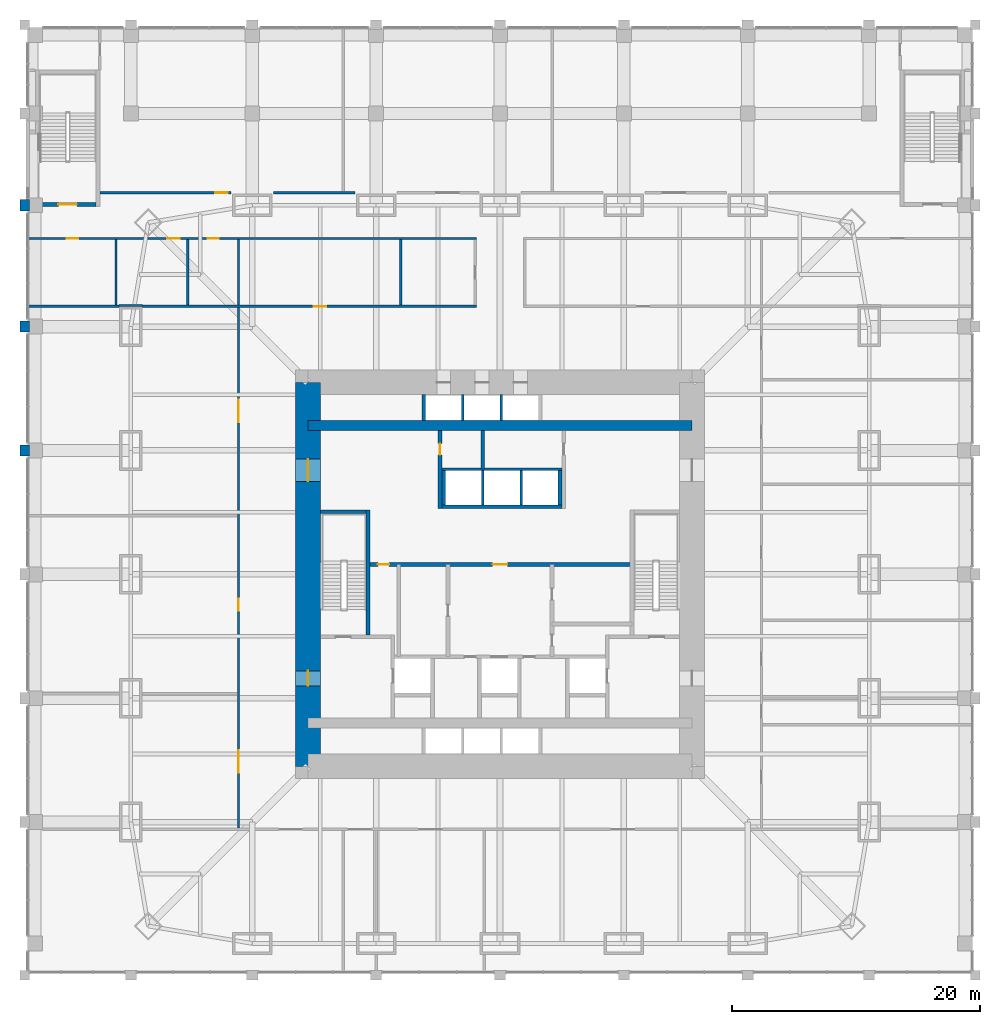
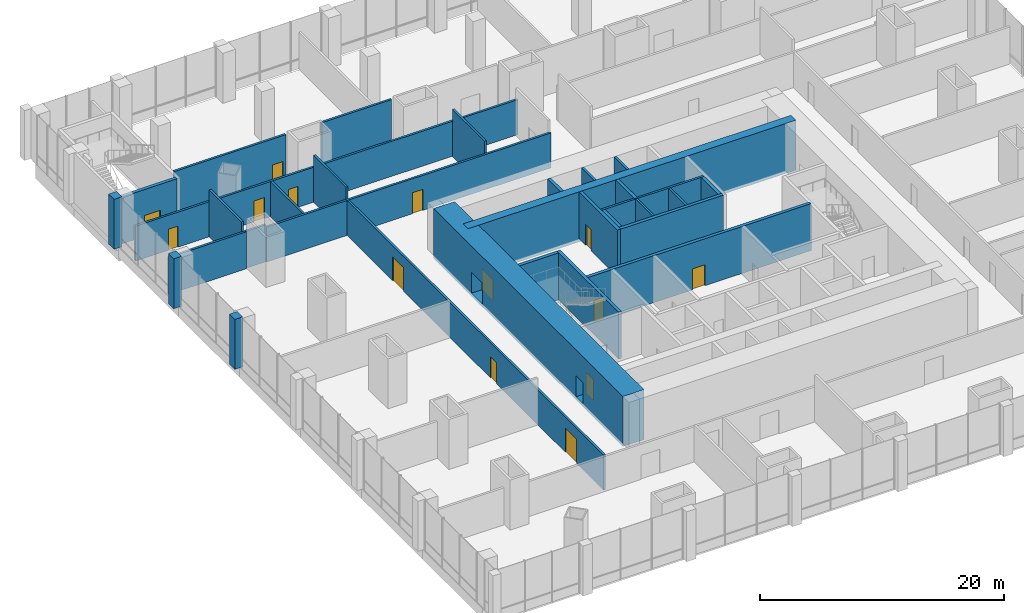
# One storey, part 18 of 24: 31 walls, 14 doors, 14 openings.
"""IFC4 building model written with IfcOpenShell, lengths in metres."""

import ifcopenshell
import ifcopenshell.guid

model = None  # the IFC model being written
_history = None  # IfcOwnerHistory: only IFC2X3 demands one
_inside = {}  # id of a spatial element -> (the spatial element, [elements in it])
_under = {}  # id of a project, library or spatial element -> (it, [spatial elements below it])
_declared = {}  # id of a project -> (the project, [libraries it declares])
_typed = {}  # id of a type object -> (the type object, [elements of that type])
_made_of = {}  # id of a material, layer set ... -> (it, [elements and type objects made of it])


def new_model(schema):
    """Start an empty IFC model of exactly this schema.

    Asked for "IFC4X3", IfcOpenShell would pick the latest addendum, in which some entities
    have other attributes; the version numbers below select the first issue.
    IFC2X3 requires an IfcOwnerHistory on every rooted entity: one is made here for all.
    """
    global model, _history
    if schema == "IFC4X3":
        model = ifcopenshell.file(schema_version=(4, 3, 0, 0))
    else:
        model = ifcopenshell.file(schema=schema)
    _inside.clear()
    _under.clear()
    _declared.clear()
    _typed.clear()
    _made_of.clear()
    _history = None
    if model.schema == "IFC2X3":
        org = make("IfcOrganization", Name="unknown")
        user = make(
            "IfcPersonAndOrganization",
            ThePerson=make("IfcPerson", FamilyName="unknown"),
            TheOrganization=org,
        )
        app = make(
            "IfcApplication",
            ApplicationDeveloper=org,
            Version="unknown",
            ApplicationFullName="unknown",
            ApplicationIdentifier="unknown",
        )
        _history = make(
            "IfcOwnerHistory",
            OwningUser=user,
            OwningApplication=app,
            ChangeAction="ADDED",
            CreationDate=0,
        )
    return model


def make(cls, **values):
    """One entity of the class cls with the attributes given. An attribute that is None is left unset."""
    return model.create_entity(
        cls, **{name: value for name, value in values.items() if value is not None}
    )


def rooted(cls, **values):
    """An entity with a GlobalId (a new one), such as an element, a storey or a relation."""
    return make(cls, GlobalId=ifcopenshell.guid.new(), OwnerHistory=_history, **values)


def si_unit(unit_type, name, prefix=None):
    """IfcSIUnit, for example si_unit("LENGTHUNIT", "METRE", prefix="MILLI")."""
    return make("IfcSIUnit", UnitType=unit_type, Prefix=prefix, Name=name)


def assignment(units):
    """IfcUnitAssignment: the units of a project."""
    return None if units is None else make("IfcUnitAssignment", Units=units)


def point(xyz):
    """IfcCartesianPoint."""
    return None if xyz is None else make("IfcCartesianPoint", Coordinates=xyz)


def direction(xyz):
    """IfcDirection."""
    return None if xyz is None else make("IfcDirection", DirectionRatios=xyz)


def frame(location, z_axis=None, x_axis=None):
    """IfcAxis2Placement3D, a coordinate frame: its origin and axes. An axis left out is left unset."""
    return make(
        "IfcAxis2Placement3D",
        Location=point(location),
        Axis=direction(z_axis),
        RefDirection=direction(x_axis),
    )


def frame_2d(location, x_axis=None):
    """IfcAxis2Placement2D, a coordinate frame in the plane: its origin and x axis."""
    return make(
        "IfcAxis2Placement2D", Location=point(location), RefDirection=direction(x_axis)
    )


def origin():
    """The frame at (0, 0, 0) with its axes left unset."""
    return frame((0.0, 0.0, 0.0))


def place(relative_to, where):
    """IfcLocalPlacement: puts the frame where relative to a parent placement (None: the world)."""
    return make(
        "IfcLocalPlacement", PlacementRelTo=relative_to, RelativePlacement=where
    )


def context(
    kind, dimensions, precision=None, world=None, true_north=None, identifier=None
):
    """IfcGeometricRepresentationContext, for example the 3D "Model" context."""
    return make(
        "IfcGeometricRepresentationContext",
        ContextIdentifier=identifier,
        ContextType=kind,
        CoordinateSpaceDimension=dimensions,
        Precision=precision,
        WorldCoordinateSystem=world,
        TrueNorth=true_north,
    )


def subcontext(parent, identifier, kind, view, scale=None):
    """IfcGeometricRepresentationSubContext, for example "Body" below "Model"."""
    return make(
        "IfcGeometricRepresentationSubContext",
        ContextIdentifier=identifier,
        ContextType=kind,
        ParentContext=parent,
        TargetScale=scale,
        TargetView=view,
    )


def project(units=None, contexts=None):
    """IfcProject with its units and contexts."""
    return rooted(
        "IfcProject",
        Name="project",
        RepresentationContexts=contexts,
        UnitsInContext=assignment(units),
    )


def spatial(cls, under=None, at=None, **own):
    """A site, building, storey or space (cls), placed at a placement, below another one or the project."""
    s = rooted(cls, ObjectPlacement=at, **own)
    if under is not None:
        _under.setdefault(under.id(), (under, []))[1].append(s)
    return s


def profile(cls, at=None, kind="AREA", **sizes):
    """A parametric profile (cls). Its sizes go by their IFC names, for example OverallWidth=200.0."""
    return make(cls, ProfileType=kind, Position=at, **sizes)


def rectangle(**sizes):
    """IfcRectangleProfileDef."""
    return profile("IfcRectangleProfileDef", **sizes)


def extrude(swept, where, along, depth):
    """IfcExtrudedAreaSolid: the profile swept, set in the frame where, extruded along a direction by depth."""
    return make(
        "IfcExtrudedAreaSolid",
        SweptArea=swept,
        Position=where,
        ExtrudedDirection=direction(along),
        Depth=depth,
    )


def shape(context_of_items, identifier, shape_type, items):
    """IfcShapeRepresentation: the items that make up one representation, for example the "Body"."""
    return make(
        "IfcShapeRepresentation",
        ContextOfItems=context_of_items,
        RepresentationIdentifier=identifier,
        RepresentationType=shape_type,
        Items=items,
    )


def material(Name=None, Category=None):
    """IfcMaterial."""
    return make("IfcMaterial", Name=Name, Category=Category)


def layer(
    of_material, thickness, ventilated=None, Name=None, Category=None, Priority=None
):
    """IfcMaterialLayer: one layer of a wall or slab, of a material (None: an air gap)."""
    return make(
        "IfcMaterialLayer",
        Material=of_material,
        LayerThickness=thickness,
        IsVentilated=ventilated,
        Name=Name,
        Category=Category,
        Priority=Priority,
    )


def layer_set(layers, Name=None):
    """IfcMaterialLayerSet."""
    return make("IfcMaterialLayerSet", MaterialLayers=layers, LayerSetName=Name)


def made_of(thing, what):
    """Note that an element or type object is made of a material, layer set ...; save() writes the relation."""
    if what is not None:
        _made_of.setdefault(what.id(), (what, []))[1].append(thing)
    return thing


def type_object(cls, material=None, **own):
    """A type object (cls), such as IfcWallType, which elements share."""
    return made_of(rooted(cls, **own), material)


def element(
    cls,
    number,
    at=None,
    inside=None,
    cuts=None,
    type_object=None,
    material=None,
    context=None,
    identifier="Body",
    shape_type=None,
    held_by="IfcProductDefinitionShape",
    body=None,
    shapes=None,
    **own,
):
    """One element of the class cls, such as IfcWall. Its Tag is "e" and its number.

    at: its placement. inside: the storey or other place that contains it. cuts: it is an
    opening in that element (IfcRelVoidsElement). A single representation is given by context,
    identifier, shape_type and body (its items); several are given by shapes. held_by: the class
    of the entity that holds the representations. save() writes the other relations.
    """
    e = rooted(cls, Tag="e%d" % number, ObjectPlacement=at, **own)
    if body is not None:
        shapes = [shape(context, identifier, shape_type, body)]
    if shapes is not None:
        e.Representation = make(held_by, Representations=shapes)
    if inside is not None:
        _inside.setdefault(inside.id(), (inside, []))[1].append(e)
    if cuts is not None:
        rooted(
            "IfcRelVoidsElement", RelatingBuildingElement=cuts, RelatedOpeningElement=e
        )
    if type_object is not None:
        _typed.setdefault(type_object.id(), (type_object, []))[1].append(e)
    return made_of(e, material)


def fill(opening, filler):
    """IfcRelFillsElement: the door or window that sits in an opening."""
    return rooted(
        "IfcRelFillsElement",
        RelatingOpeningElement=opening,
        RelatedBuildingElement=filler,
    )


def aggregate(whole, parts):
    """IfcRelAggregates: a whole, such as a stair, and the parts it consists of."""
    return rooted("IfcRelAggregates", RelatingObject=whole, RelatedObjects=parts)


def save(model, path):
    """Write the relations noted so far, then the file.

    IfcRelAggregates (storeys below a building ...), IfcRelContainedInSpatialStructure (elements
    in a storey), IfcRelDefinesByType, IfcRelAssociatesMaterial and IfcRelDeclares: one each for
    every whole, place, type object, material and project.
    """
    for whole, parts in _under.values():
        aggregate(whole, parts)
    for where, things in _inside.values():
        rooted(
            "IfcRelContainedInSpatialStructure",
            RelatedElements=things,
            RelatingStructure=where,
        )
    for kind, things in _typed.values():
        rooted("IfcRelDefinesByType", RelatedObjects=things, RelatingType=kind)
    for what, things in _made_of.values():
        rooted("IfcRelAssociatesMaterial", RelatedObjects=things, RelatingMaterial=what)
    for by, libraries in _declared.values():
        rooted("IfcRelDeclares", RelatingContext=by, RelatedDefinitions=libraries)
    model.write(path)


model = new_model("IFC4")

# Units and contexts
model_context = context("Model", 3, precision=1e-05, world=origin(), true_north=direction((0.0, 1.0)))
body_context = subcontext(model_context, "Body", "Model", "MODEL_VIEW")
ifc_project = project(units=[si_unit("LENGTHUNIT", "METRE"), si_unit("AREAUNIT", "SQUARE_METRE"), si_unit("VOLUMEUNIT", "CUBIC_METRE"), si_unit("PLANEANGLEUNIT", "RADIAN"), si_unit("MASSUNIT", "GRAM", prefix="KILO")], contexts=[model_context])

# Site, building, storey
site_placement = place(None, origin())
site = spatial("IfcSite", under=ifc_project, at=site_placement, CompositionType="ELEMENT")
building_placement = place(site_placement, origin())
building = spatial("IfcBuilding", under=site, at=building_placement, Name="Khuree Lantern Residences", CompositionType="ELEMENT")
storey_placement = place(building_placement, frame((0.0, 0.0, 6.0)))
storey = spatial("IfcBuildingStorey", under=building, at=storey_placement, Name="L01", CompositionType="ELEMENT", Elevation=6.0)

# Walls
ifc_material_1 = material(Name="Dense concrete blockwork", Category="masonry")
ifc_layer_1 = layer(ifc_material_1, 0.300048828125)
ifc_layer_set_1 = layer_set([ifc_layer_1], Name="CORE PARTITION WALL CPW300 EI 120")
wall_type_1 = type_object("IfcWallType", Name="CORE PARTITION WALL CPW300 EI 120", PredefinedType="PARTITIONING", material=ifc_layer_set_1)
wall_1_placement = place(storey_placement, frame((-4.699951171875, 5.449951171875, 0.0), z_axis=(0.0, 0.0, 1.0), x_axis=(1.0, 0.0, 0.0)))
element("IfcWall", 1, at=wall_1_placement, inside=storey, type_object=wall_type_1, Name="L01 CORE WALL PHS", PredefinedType="PARTITIONING", context=body_context, shape_type="SweptSolid", body=[
    extrude(rectangle(XDim=9.699951171875, YDim=0.300048828125, at=frame_2d((4.85009765625, 0.0))), origin(), (0.0, 0.0, 1.0), 4.699951171875),
])
for number, where, z_axis, x_axis, name in (
    (2, (-4.550048828125, 5.60009765625, 0.0), (0.0, 0.0, 1.0), (0.0, 1.0, 0.0), "L01 CORE WALL PHW"),
    (3, (4.85009765625, 5.60009765625, 0.0), (0.0, 0.0, 1.0), (0.0, 1.0, 0.0), "L01 CORE WALL PHE"),
):
    element("IfcWall", number, at=place(storey_placement, frame(where, z_axis=z_axis, x_axis=x_axis)), inside=storey, type_object=wall_type_1, Name=name, PredefinedType="PARTITIONING", context=body_context, shape_type="SweptSolid", body=[
        extrude(rectangle(XDim=2.7998046875, YDim=0.300048828125, at=frame_2d((1.39990234375, 0.0))), origin(), (0.0, 0.0, 1.0), 4.699951171875),
    ])
wall_2_placement = place(storey_placement, frame((-6.14990234375, 12.39990234375, 0.0), z_axis=(0.0, 0.0, 1.0), x_axis=(0.0, 1.0, 0.0)))
element("IfcWall", 4, at=wall_2_placement, inside=storey, type_object=wall_type_1, Name="L01 CORE WALL PLW", PredefinedType="PARTITIONING", context=body_context, shape_type="SweptSolid", body=[
    extrude(rectangle(XDim=2.10009765625, YDim=0.300048828125, at=frame_2d((1.050048828125, 0.0))), origin(), (0.0, 0.0, 1.0), 4.699951171875),
])

# Wall, openings, doors
wall_3_placement = place(storey_placement, frame((-10.64990234375, 0.800048828125, 0.0), z_axis=(0.0, 0.0, 1.0), x_axis=(1.0, 0.0, 0.0)))
wall_3 = element("IfcWall", 5, at=wall_3_placement, inside=storey, type_object=wall_type_1, Name="L01 CORE WALL LLS", PredefinedType="PARTITIONING", context=body_context, shape_type="SweptSolid", body=[
    extrude(rectangle(XDim=21.2998046875, YDim=0.300048828125, at=frame_2d((10.64990234375, 0.0))), origin(), (0.0, 0.0, 1.0), 4.699951171875),
])
opening_1_placement = place(wall_3_placement, frame((10.050048828125, 0.0, 0.0)))
opening_1 = element("IfcOpeningElement", 6, at=opening_1_placement, cuts=wall_3, Name="Opening 01-013", PredefinedType="OPENING", context=body_context, shape_type="SweptSolid", body=[
    extrude(rectangle(XDim=1.199951171875, YDim=2.10009765625, at=frame_2d((0.60009765625, 1.050048828125))), frame((0.0, 0.16015625, 0.0), z_axis=(0.0, -1.0, 0.0), x_axis=(1.0, 0.0, 0.0)), (0.0, 0.0, 1.0), 0.320068359375),
])
opening_2_placement = place(wall_3_placement, frame((0.79296875, 0.0, 0.0)))
opening_2 = element("IfcOpeningElement", 7, at=opening_2_placement, cuts=wall_3, Name="Opening 01-017", PredefinedType="OPENING", context=body_context, shape_type="SweptSolid", body=[
    extrude(rectangle(XDim=0.89990234375, YDim=2.10009765625, at=frame_2d((0.449951171875, 1.050048828125))), frame((0.0, 0.16015625, 0.0), z_axis=(0.0, -1.0, 0.0), x_axis=(1.0, 0.0, 0.0)), (0.0, 0.0, 1.0), 0.320068359375),
])
ifc_material_2 = material(Name="Steel door leaf in steel frame", Category="steel")
door_type_1 = type_object("IfcDoorType", Name="DOOR 1200X2100 EI 60", OperationType="SINGLE_SWING_LEFT", PredefinedType="DOOR", material=ifc_material_2)
door_1_placement = place(opening_1_placement, origin())
door_1 = element("IfcDoor", 8, at=door_1_placement, inside=storey, type_object=door_type_1, Name="Service lift lobby door 01-013", OperationType="SINGLE_SWING_LEFT", OverallHeight=2.10009765625, OverallWidth=1.199951171875, PredefinedType="DOOR", context=body_context, shape_type="SweptSolid", body=[
    extrude(rectangle(XDim=1.199951171875, YDim=2.10009765625, at=frame_2d((0.60009765625, 1.050048828125))), frame((0.0, 0.02490234375, 0.0), z_axis=(0.0, -1.0, 0.0), x_axis=(1.0, 0.0, 0.0)), (0.0, 0.0, 1.0), 0.050048828125),
])
fill(opening_1, door_1)
ifc_material_3 = material(Name="Timber door leaf in hardwood frame", Category="wood")
door_type_2 = type_object("IfcDoorType", Name="DOOR 900X2100", OperationType="SINGLE_SWING_LEFT", PredefinedType="DOOR", material=ifc_material_3)
door_2_placement = place(opening_2_placement, origin())
door_2 = element("IfcDoor", 9, at=door_2_placement, inside=storey, type_object=door_type_2, Name="Maintenance store door 01-017", OperationType="SINGLE_SWING_LEFT", OverallHeight=2.10009765625, OverallWidth=0.89990234375, PredefinedType="DOOR", context=body_context, shape_type="SweptSolid", body=[
    extrude(rectangle(XDim=0.89990234375, YDim=2.10009765625, at=frame_2d((0.449951171875, 1.050048828125))), frame((0.0, 0.02490234375, 0.0), z_axis=(0.0, -1.0, 0.0), x_axis=(1.0, 0.0, 0.0)), (0.0, 0.0, 1.0), 0.050048828125),
])
fill(opening_2, door_2)

# Wall, opening, door
wall_4_placement = place(storey_placement, frame((-4.85009765625, 5.300048828125, 0.0), z_axis=(0.0, 0.0, 1.0), x_axis=(0.0, 1.0, 0.0)))
wall_4 = element("IfcWall", 10, at=wall_4_placement, inside=storey, type_object=wall_type_1, Name="L01 CORE WALL NW", PredefinedType="PARTITIONING", context=body_context, shape_type="SweptSolid", body=[
    extrude(rectangle(XDim=6.300048828125, YDim=0.300048828125, at=frame_2d((3.14990234375, 0.0))), origin(), (0.0, 0.0, 1.0), 4.699951171875),
])
opening_3_placement = place(wall_4_placement, frame((4.35009765625, 0.0, 0.0)))
opening_3 = element("IfcOpeningElement", 11, at=opening_3_placement, cuts=wall_4, Name="Opening 01-020", PredefinedType="OPENING", context=body_context, shape_type="SweptSolid", body=[
    extrude(rectangle(XDim=0.89990234375, YDim=2.10009765625, at=frame_2d((0.449951171875, 1.050048828125))), frame((0.0, 0.16015625, 0.0), z_axis=(0.0, -1.0, 0.0), x_axis=(1.0, 0.0, 0.0)), (0.0, 0.0, 1.0), 0.320068359375),
])
door_type_3 = type_object("IfcDoorType", Name="DOOR 900X2100 RIGHT HAND", OperationType="SINGLE_SWING_RIGHT", PredefinedType="DOOR", material=ifc_material_3)
door_3_placement = place(opening_3_placement, origin())
door_3 = element("IfcDoor", 12, at=door_3_placement, inside=storey, type_object=door_type_3, Name="IT room door 01-020", OperationType="SINGLE_SWING_RIGHT", OverallHeight=2.10009765625, OverallWidth=0.89990234375, PredefinedType="DOOR", context=body_context, shape_type="SweptSolid", body=[
    extrude(rectangle(XDim=0.89990234375, YDim=2.10009765625, at=frame_2d((0.449951171875, 1.050048828125))), frame((0.0, 0.02490234375, 0.0), z_axis=(0.0, -1.0, 0.0), x_axis=(1.0, 0.0, 0.0)), (0.0, 0.0, 1.0), 0.050048828125),
])
fill(opening_3, door_3)

# Wall
wall_5_placement = place(storey_placement, frame((-1.39990234375, 8.5, 0.0), z_axis=(0.0, 0.0, 1.0), x_axis=(0.0, 1.0, 0.0)))
element("IfcWall", 13, at=wall_5_placement, inside=storey, type_object=wall_type_1, Name="L01 CORE WALL NX", PredefinedType="PARTITIONING", context=body_context, shape_type="SweptSolid", body=[
    extrude(rectangle(XDim=3.10009765625, YDim=0.300048828125, at=frame_2d((1.550048828125, 0.0))), origin(), (0.0, 0.0, 1.0), 4.699951171875),
])

# Wall, openings, doors
ifc_material_4 = material(Name="Concrete C70/85", Category="concrete")
ifc_layer_2 = layer(ifc_material_4, 2.0)
ifc_layer_set_2 = layer_set([ifc_layer_2], Name="CW2000-C70 CORE WALL C70 2000")
wall_type_2 = type_object("IfcWallType", Name="CW2000-C70 CORE WALL C70 2000", PredefinedType="SHEAR", material=ifc_layer_set_2)
wall_6_placement = place(storey_placement, frame((-15.5, -15.5, -0.300048828125), z_axis=(0.0, 0.0, 1.0), x_axis=(0.0, 1.0, 0.0)))
wall_6 = element("IfcWall", 14, at=wall_6_placement, inside=storey, type_object=wall_type_2, Name="Core wall W", PredefinedType="SHEAR", context=body_context, shape_type="SweptSolid", body=[
    extrude(rectangle(XDim=31.0, YDim=2.0, at=frame_2d((15.5, 0.0))), origin(), (0.0, 0.0, 1.0), 5.0),
])
opening_4_placement = place(wall_6_placement, frame((6.5, 0.0, 0.300048828125)))
opening_4 = element("IfcOpeningElement", 15, at=opening_4_placement, cuts=wall_6, Name="Opening 01-002", PredefinedType="OPENING", context=body_context, shape_type="SweptSolid", body=[
    extrude(rectangle(XDim=1.199951171875, YDim=2.10009765625, at=frame_2d((0.60009765625, 1.050048828125))), frame((0.0, 1.010009765625, 0.0), z_axis=(0.0, -1.0, 0.0), x_axis=(1.0, 0.0, 0.0)), (0.0, 0.0, 1.0), 2.02001953125),
])
opening_5_placement = place(wall_6_placement, frame((23.0, 0.0, 0.300048828125)))
opening_5 = element("IfcOpeningElement", 16, at=opening_5_placement, cuts=wall_6, Name="Opening 01-003", PredefinedType="OPENING", context=body_context, shape_type="SweptSolid", body=[
    extrude(rectangle(XDim=1.800048828125, YDim=2.10009765625, at=frame_2d((0.89990234375, 1.050048828125))), frame((0.0, 1.010009765625, 0.0), z_axis=(0.0, -1.0, 0.0), x_axis=(1.0, 0.0, 0.0)), (0.0, 0.0, 1.0), 2.02001953125),
])
door_type_4 = type_object("IfcDoorType", Name="LOBBY DOOR 1200X2100 EI 120", OperationType="SINGLE_SWING_LEFT", PredefinedType="DOOR", material=ifc_material_2)
door_4_placement = place(opening_4_placement, origin())
door_4 = element("IfcDoor", 17, at=door_4_placement, inside=storey, type_object=door_type_4, Name="Firefighting lobby door 01-002", OperationType="SINGLE_SWING_LEFT", OverallHeight=2.10009765625, OverallWidth=1.199951171875, PredefinedType="DOOR", context=body_context, shape_type="SweptSolid", body=[
    extrude(rectangle(XDim=1.199951171875, YDim=2.10009765625, at=frame_2d((0.60009765625, 1.050048828125))), frame((0.0, 0.02490234375, 0.0), z_axis=(0.0, -1.0, 0.0), x_axis=(1.0, 0.0, 0.0)), (0.0, 0.0, 1.0), 0.050048828125),
])
fill(opening_4, door_4)
door_type_5 = type_object("IfcDoorType", Name="LOBBY DOUBLE DOOR 1800X2100 EI 60", OperationType="DOUBLE_DOOR_SINGLE_SWING", PredefinedType="DOOR", material=ifc_material_2)
door_5_placement = place(opening_5_placement, origin())
door_5 = element("IfcDoor", 18, at=door_5_placement, inside=storey, type_object=door_type_5, Name="Lift lobby door 01-003", OperationType="DOUBLE_DOOR_SINGLE_SWING", OverallHeight=2.10009765625, OverallWidth=1.800048828125, PredefinedType="DOOR", context=body_context, shape_type="SweptSolid", body=[
    extrude(rectangle(XDim=1.800048828125, YDim=2.10009765625, at=frame_2d((0.89990234375, 1.050048828125))), frame((0.0, 0.02490234375, 0.0), z_axis=(0.0, -1.0, 0.0), x_axis=(1.0, 0.0, 0.0)), (0.0, 0.0, 1.0), 0.050048828125),
])
fill(opening_5, door_5)

# Walls
ifc_material_5 = material(Name="Flamed granite cladding on blockwork", Category="masonry")
ifc_layer_3 = layer(ifc_material_5, 0.75)
ifc_layer_set_3 = layer_set([ifc_layer_3], Name="PODIUM PIER PR1 900X750")
wall_type_3 = type_object("IfcWallType", Name="PODIUM PIER PR1 900X750", PredefinedType="SOLIDWALL", material=ifc_layer_set_3)
for number, where, z_axis, x_axis, name in (
    (19, (-38.375, 30.25, 0.0), (0.0, 0.0, 1.0), (0.0, -1.0, 0.0), "L01 WEST FACE PIER 2"),
    (20, (-38.375, 20.449951171875, 0.0), (0.0, 0.0, 1.0), (0.0, -1.0, 0.0), "L01 WEST FACE PIER 3"),
    (21, (-38.375, 10.449951171875, 0.0), (0.0, 0.0, 1.0), (0.0, -1.0, 0.0), "L01 WEST FACE PIER 4"),
):
    element("IfcWall", number, at=place(storey_placement, frame(where, z_axis=z_axis, x_axis=x_axis)), inside=storey, type_object=wall_type_3, Name=name, PredefinedType="SOLIDWALL", context=body_context, shape_type="SweptSolid", body=[
        extrude(rectangle(XDim=0.89990234375, YDim=0.75, at=frame_2d((0.449951171875, 0.0))), origin(), (0.0, 0.0, 1.0), 5.0),
    ])

# Wall, openings, doors
ifc_layer_4 = layer(ifc_material_1, 0.199951171875)
ifc_layer_set_4 = layer_set([ifc_layer_4], Name="ROOM WALL RMW200")
wall_type_4 = type_object("IfcWallType", Name="ROOM WALL RMW200", PredefinedType="SOLIDWALL", material=ifc_layer_set_4)
wall_7_placement = place(storey_placement, frame((-21.111083984375, -20.490966796875, 0.0), z_axis=(0.0, 0.0, 1.0), x_axis=(0.0, 1.0, 0.0)))
wall_7 = element("IfcWall", 22, at=wall_7_placement, inside=storey, type_object=wall_type_4, Name="L01 ROOM WALL 9", PredefinedType="SOLIDWALL", context=body_context, shape_type="SweptSolid", body=[
    extrude(rectangle(XDim=42.02197265625, YDim=0.199951171875, at=frame_2d((21.010986328125, 0.0))), origin(), (0.0, 0.0, 1.0), 3.5),
])
opening_6_placement = place(wall_7_placement, frame((4.469970703125, 0.0, 0.0)))
opening_6 = element("IfcOpeningElement", 23, at=opening_6_placement, cuts=wall_7, Name="Opening 01-027", PredefinedType="OPENING", context=body_context, shape_type="SweptSolid", body=[
    extrude(rectangle(XDim=1.800048828125, YDim=2.39990234375, at=frame_2d((0.89990234375, 1.199951171875))), frame((0.0, 0.10986328125, 0.0), z_axis=(0.0, -1.0, 0.0), x_axis=(1.0, 0.0, 0.0)), (0.0, 0.0, 1.0), 0.219970703125),
])
opening_7_placement = place(wall_7_placement, frame((17.537109375, 0.0, 0.0)))
opening_7 = element("IfcOpeningElement", 24, at=opening_7_placement, cuts=wall_7, Name="Opening 01-028", PredefinedType="OPENING", context=body_context, shape_type="SweptSolid", body=[
    extrude(rectangle(XDim=1.0, YDim=2.10009765625, at=frame_2d((0.5, 1.050048828125))), frame((0.0, 0.10986328125, 0.0), z_axis=(0.0, -1.0, 0.0), x_axis=(1.0, 0.0, 0.0)), (0.0, 0.0, 1.0), 0.219970703125),
])
opening_8_placement = place(wall_7_placement, frame((32.76806640625, 0.0, 0.0)))
opening_8 = element("IfcOpeningElement", 25, at=opening_8_placement, cuts=wall_7, Name="Opening 01-029", PredefinedType="OPENING", context=body_context, shape_type="SweptSolid", body=[
    extrude(rectangle(XDim=1.800048828125, YDim=2.39990234375, at=frame_2d((0.89990234375, 1.199951171875))), frame((0.0, 0.10986328125, 0.0), z_axis=(0.0, -1.0, 0.0), x_axis=(1.0, 0.0, 0.0)), (0.0, 0.0, 1.0), 0.219970703125),
])
door_type_6 = type_object("IfcDoorType", Name="DOOR 1000X2100", OperationType="SINGLE_SWING_LEFT", PredefinedType="DOOR", material=ifc_material_3)
door_6_placement = place(opening_7_placement, origin())
door_6 = element("IfcDoor", 26, at=door_6_placement, inside=storey, type_object=door_type_6, Name="Meeting room door 01-028", OperationType="SINGLE_SWING_LEFT", OverallHeight=2.10009765625, OverallWidth=1.0, PredefinedType="DOOR", context=body_context, shape_type="SweptSolid", body=[
    extrude(rectangle(XDim=1.0, YDim=2.10009765625, at=frame_2d((0.5, 1.050048828125))), frame((0.0, 0.02490234375, 0.0), z_axis=(0.0, -1.0, 0.0), x_axis=(1.0, 0.0, 0.0)), (0.0, 0.0, 1.0), 0.050048828125),
])
fill(opening_7, door_6)
door_type_7 = type_object("IfcDoorType", Name="DOUBLE DOOR 1800X2400", OperationType="DOUBLE_DOOR_SINGLE_SWING", PredefinedType="DOOR", material=ifc_material_3)
door_7_placement = place(opening_6_placement, origin())
door_7 = element("IfcDoor", 27, at=door_7_placement, inside=storey, type_object=door_type_7, Name="Co-working office door 01-027", OperationType="DOUBLE_DOOR_SINGLE_SWING", OverallHeight=2.39990234375, OverallWidth=1.800048828125, PredefinedType="DOOR", context=body_context, shape_type="SweptSolid", body=[
    extrude(rectangle(XDim=1.800048828125, YDim=2.39990234375, at=frame_2d((0.89990234375, 1.199951171875))), frame((0.0, 0.02490234375, 0.0), z_axis=(0.0, -1.0, 0.0), x_axis=(1.0, 0.0, 0.0)), (0.0, 0.0, 1.0), 0.050048828125),
])
fill(opening_6, door_7)
door_8_placement = place(opening_8_placement, origin())
door_8 = element("IfcDoor", 28, at=door_8_placement, inside=storey, type_object=door_type_7, Name="Children's playroom door 01-029", OperationType="DOUBLE_DOOR_SINGLE_SWING", OverallHeight=2.39990234375, OverallWidth=1.800048828125, PredefinedType="DOOR", context=body_context, shape_type="SweptSolid", body=[
    extrude(rectangle(XDim=1.800048828125, YDim=2.39990234375, at=frame_2d((0.89990234375, 1.199951171875))), frame((0.0, 0.02490234375, 0.0), z_axis=(0.0, -1.0, 0.0), x_axis=(1.0, 0.0, 0.0)), (0.0, 0.0, 1.0), 0.050048828125),
])
fill(opening_8, door_8)

# Wall
wall_8_placement = place(storey_placement, frame((-38.074951171875, 21.631103515625, 0.0), z_axis=(0.0, 0.0, 1.0), x_axis=(1.0, 0.0, 0.0)))
element("IfcWall", 29, at=wall_8_placement, inside=storey, type_object=wall_type_4, Name="L01 ROOM WALL 20", PredefinedType="SOLIDWALL", context=body_context, shape_type="SweptSolid", body=[
    extrude(rectangle(XDim=7.324951171875, YDim=0.199951171875, at=frame_2d((3.66259765625, 0.0))), origin(), (0.0, 0.0, 1.0), 3.699951171875),
])

# Wall, opening, door
wall_9_placement = place(storey_placement, frame((-28.85009765625, 21.631103515625, 0.0), z_axis=(0.0, 0.0, 1.0), x_axis=(1.0, 0.0, 0.0)))
wall_9 = element("IfcWall", 30, at=wall_9_placement, inside=storey, type_object=wall_type_4, Name="L01 ROOM WALL 21", PredefinedType="SOLIDWALL", context=body_context, shape_type="SweptSolid", body=[
    extrude(rectangle(XDim=26.9501953125, YDim=0.199951171875, at=frame_2d((13.47509765625, 0.0))), origin(), (0.0, 0.0, 1.0), 3.5),
])
opening_9_placement = place(wall_9_placement, frame((13.804443359375, 0.0, 0.0)))
opening_9 = element("IfcOpeningElement", 31, at=opening_9_placement, cuts=wall_9, Name="Opening 01-039", PredefinedType="OPENING", context=body_context, shape_type="SweptSolid", body=[
    extrude(rectangle(XDim=1.0, YDim=2.10009765625, at=frame_2d((0.5, 1.050048828125))), frame((0.0, 0.10986328125, 0.0), z_axis=(0.0, -1.0, 0.0), x_axis=(1.0, 0.0, 0.0)), (0.0, 0.0, 1.0), 0.219970703125),
])
door_9_placement = place(opening_9_placement, origin())
door_9 = element("IfcDoor", 32, at=door_9_placement, inside=storey, type_object=door_type_6, Name="Interview room door 01-039", OperationType="SINGLE_SWING_LEFT", OverallHeight=2.10009765625, OverallWidth=1.0, PredefinedType="DOOR", context=body_context, shape_type="SweptSolid", body=[
    extrude(rectangle(XDim=1.0, YDim=2.10009765625, at=frame_2d((0.5, 1.050048828125))), frame((0.0, 0.02490234375, 0.0), z_axis=(0.0, -1.0, 0.0), x_axis=(1.0, 0.0, 0.0)), (0.0, 0.0, 1.0), 0.050048828125),
])
fill(opening_9, door_9)

# Walls
wall_10_placement = place(storey_placement, frame((-30.75, 21.701904296875, 0.0), z_axis=(0.0, 0.0, 1.0), x_axis=(1.0, 0.0, 0.0)))
element("IfcWall", 33, at=wall_10_placement, inside=storey, type_object=wall_type_4, Name="L01 ROOM WALL 24", PredefinedType="SOLIDWALL", context=body_context, shape_type="SweptSolid", body=[
    extrude(rectangle(XDim=1.89990234375, YDim=0.199951171875, at=frame_2d((0.949951171875, 0.0))), origin(), (0.0, 0.0, 1.0), 3.699951171875),
])
wall_11_placement = place(storey_placement, frame((-31.0, 21.73095703125, 0.0), z_axis=(0.0, 0.0, 1.0), x_axis=(0.0, 1.0, 0.0)))
element("IfcWall", 34, at=wall_11_placement, inside=storey, type_object=wall_type_4, Name="L01 ROOM WALL 26", PredefinedType="SOLIDWALL", context=body_context, shape_type="SweptSolid", body=[
    extrude(rectangle(XDim=5.280029296875, YDim=0.199951171875, at=frame_2d((2.64013671875, 0.0))), origin(), (0.0, 0.0, 1.0), 4.699951171875),
])
wall_12_placement = place(storey_placement, frame((-25.199951171875, 21.73095703125, 0.0), z_axis=(0.0, 0.0, 1.0), x_axis=(0.0, 1.0, 0.0)))
element("IfcWall", 35, at=wall_12_placement, inside=storey, type_object=wall_type_4, Name="L01 ROOM WALL 27", PredefinedType="SOLIDWALL", context=body_context, shape_type="SweptSolid", body=[
    extrude(rectangle(XDim=5.280029296875, YDim=0.199951171875, at=frame_2d((2.64013671875, 0.0))), origin(), (0.0, 0.0, 1.0), 3.5),
])
for number, where, z_axis, x_axis, name in (
    (36, (-21.111083984375, 21.73095703125, 0.0), (0.0, 0.0, 1.0), (0.0, 1.0, 0.0), "L01 ROOM WALL 28"),
    (37, (-8.0, 21.73095703125, 0.0), (0.0, 0.0, 1.0), (0.0, 1.0, 0.0), "L01 ROOM WALL 29"),
):
    element("IfcWall", number, at=place(storey_placement, frame(where, z_axis=z_axis, x_axis=x_axis)), inside=storey, type_object=wall_type_4, Name=name, PredefinedType="SOLIDWALL", context=body_context, shape_type="SweptSolid", body=[
        extrude(rectangle(XDim=5.280029296875, YDim=0.199951171875, at=frame_2d((2.64013671875, 0.0))), origin(), (0.0, 0.0, 1.0), 4.699951171875),
    ])

# Wall, openings, doors
wall_13_placement = place(storey_placement, frame((-38.074951171875, 27.111083984375, 0.0), z_axis=(0.0, 0.0, 1.0), x_axis=(1.0, 0.0, 0.0)))
wall_13 = element("IfcWall", 38, at=wall_13_placement, inside=storey, type_object=wall_type_4, Name="L01 ROOM WALL 33", PredefinedType="SOLIDWALL", context=body_context, shape_type="SweptSolid", body=[
    extrude(rectangle(XDim=36.175048828125, YDim=0.199951171875, at=frame_2d((18.08740234375, 0.0))), origin(), (0.0, 0.0, 1.0), 3.5),
])
opening_10_placement = place(wall_13_placement, frame((3.114990234375, 0.0, 0.0)))
opening_10 = element("IfcOpeningElement", 39, at=opening_10_placement, cuts=wall_13, Name="Opening 01-035", PredefinedType="OPENING", context=body_context, shape_type="SweptSolid", body=[
    extrude(rectangle(XDim=0.89990234375, YDim=2.10009765625, at=frame_2d((0.449951171875, 1.050048828125))), frame((0.0, 0.10986328125, 0.0), z_axis=(0.0, -1.0, 0.0), x_axis=(1.0, 0.0, 0.0)), (0.0, 0.0, 1.0), 0.219970703125),
])
opening_11_placement = place(wall_13_placement, frame((11.22705078125, 0.0, 0.0)))
opening_11 = element("IfcOpeningElement", 40, at=opening_11_placement, cuts=wall_13, Name="Opening 01-036", PredefinedType="OPENING", context=body_context, shape_type="SweptSolid", body=[
    extrude(rectangle(XDim=1.0, YDim=2.10009765625, at=frame_2d((0.5, 1.050048828125))), frame((0.0, 0.10986328125, 0.0), z_axis=(0.0, -1.0, 0.0), x_axis=(1.0, 0.0, 0.0)), (0.0, 0.0, 1.0), 0.219970703125),
])
opening_12_placement = place(wall_13_placement, frame((14.469482421875, 0.0, 0.0)))
opening_12 = element("IfcOpeningElement", 41, at=opening_12_placement, cuts=wall_13, Name="Opening 01-037", PredefinedType="OPENING", context=body_context, shape_type="SweptSolid", body=[
    extrude(rectangle(XDim=0.89990234375, YDim=2.10009765625, at=frame_2d((0.449951171875, 1.050048828125))), frame((0.0, 0.10986328125, 0.0), z_axis=(0.0, -1.0, 0.0), x_axis=(1.0, 0.0, 0.0)), (0.0, 0.0, 1.0), 0.219970703125),
])
door_type_8 = type_object("IfcDoorType", Name="ACCESSIBLE WC DOOR 1000X2100", OperationType="SINGLE_SWING_LEFT", PredefinedType="DOOR", material=ifc_material_3)
door_10_placement = place(opening_11_placement, origin())
door_10 = element("IfcDoor", 42, at=door_10_placement, inside=storey, type_object=door_type_8, Name="Accessible WC door 01-036", OperationType="SINGLE_SWING_LEFT", OverallHeight=2.10009765625, OverallWidth=1.0, PredefinedType="DOOR", context=body_context, shape_type="SweptSolid", body=[
    extrude(rectangle(XDim=1.0, YDim=2.10009765625, at=frame_2d((0.5, 1.050048828125))), frame((0.0, 0.02490234375, 0.0), z_axis=(0.0, -1.0, 0.0), x_axis=(1.0, 0.0, 0.0)), (0.0, 0.0, 1.0), 0.050048828125),
])
fill(opening_11, door_10)
door_type_9 = type_object("IfcDoorType", Name="WC DOOR 900X2100", OperationType="SINGLE_SWING_LEFT", PredefinedType="DOOR", material=ifc_material_3)
door_11_placement = place(opening_10_placement, origin())
door_11 = element("IfcDoor", 43, at=door_11_placement, inside=storey, type_object=door_type_9, Name="Male WC door 01-035", OperationType="SINGLE_SWING_LEFT", OverallHeight=2.10009765625, OverallWidth=0.89990234375, PredefinedType="DOOR", context=body_context, shape_type="SweptSolid", body=[
    extrude(rectangle(XDim=0.89990234375, YDim=2.10009765625, at=frame_2d((0.449951171875, 1.050048828125))), frame((0.0, 0.02490234375, 0.0), z_axis=(0.0, -1.0, 0.0), x_axis=(1.0, 0.0, 0.0)), (0.0, 0.0, 1.0), 0.050048828125),
])
fill(opening_10, door_11)
door_12_placement = place(opening_12_placement, origin())
door_12 = element("IfcDoor", 44, at=door_12_placement, inside=storey, type_object=door_type_9, Name="Female WC door 01-037", OperationType="SINGLE_SWING_LEFT", OverallHeight=2.10009765625, OverallWidth=0.89990234375, PredefinedType="DOOR", context=body_context, shape_type="SweptSolid", body=[
    extrude(rectangle(XDim=0.89990234375, YDim=2.10009765625, at=frame_2d((0.449951171875, 1.050048828125))), frame((0.0, 0.02490234375, 0.0), z_axis=(0.0, -1.0, 0.0), x_axis=(1.0, 0.0, 0.0)), (0.0, 0.0, 1.0), 0.050048828125),
])
fill(opening_12, door_12)

# Wall, opening, door
wall_14_placement = place(storey_placement, frame((-32.280029296875, 30.800048828125, 0.0), z_axis=(0.0, 0.0, 1.0), x_axis=(1.0, 0.0, 0.0)))
wall_14 = element("IfcWall", 45, at=wall_14_placement, inside=storey, type_object=wall_type_4, Name="L01 ROOM WALL 35", PredefinedType="SOLIDWALL", context=body_context, shape_type="SweptSolid", body=[
    extrude(rectangle(XDim=10.579833984375, YDim=0.199951171875, at=frame_2d((5.2900390625, 0.0))), origin(), (0.0, 0.0, 1.0), 4.699951171875),
])
opening_13_placement = place(wall_14_placement, frame((9.28662109375, 0.0, 0.0)))
opening_13 = element("IfcOpeningElement", 46, at=opening_13_placement, cuts=wall_14, Name="Opening 01-043", PredefinedType="OPENING", context=body_context, shape_type="SweptSolid", body=[
    extrude(rectangle(XDim=1.0, YDim=2.10009765625, at=frame_2d((0.5, 1.050048828125))), frame((0.0, 0.10986328125, 0.0), z_axis=(0.0, -1.0, 0.0), x_axis=(1.0, 0.0, 0.0)), (0.0, 0.0, 1.0), 0.219970703125),
])
door_13_placement = place(opening_13_placement, origin())
door_13 = element("IfcDoor", 47, at=door_13_placement, inside=storey, type_object=door_type_6, Name="Resident storage door 01-043", OperationType="SINGLE_SWING_LEFT", OverallHeight=2.10009765625, OverallWidth=1.0, PredefinedType="DOOR", context=body_context, shape_type="SweptSolid", body=[
    extrude(rectangle(XDim=1.0, YDim=2.10009765625, at=frame_2d((0.5, 1.050048828125))), frame((0.0, 0.02490234375, 0.0), z_axis=(0.0, -1.0, 0.0), x_axis=(1.0, 0.0, 0.0)), (0.0, 0.0, 1.0), 0.050048828125),
])
fill(opening_13, door_13)

# Walls
wall_15_placement = place(storey_placement, frame((-18.2998046875, 30.800048828125, 0.0), z_axis=(0.0, 0.0, 1.0), x_axis=(1.0, 0.0, 0.0)))
element("IfcWall", 48, at=wall_15_placement, inside=storey, type_object=wall_type_4, Name="L01 ROOM WALL 36", PredefinedType="SOLIDWALL", context=body_context, shape_type="SweptSolid", body=[
    extrude(rectangle(XDim=6.599609375, YDim=0.199951171875, at=frame_2d((3.2998046875, 0.0))), origin(), (0.0, 0.0, 1.0), 4.699951171875),
])
ifc_layer_5 = layer(ifc_material_1, 0.199951171875)
ifc_layer_set_5 = layer_set([ifc_layer_5], Name="SHAFT WALL SHW200 EI 120")
wall_type_5 = type_object("IfcWallType", Name="SHAFT WALL SHW200 EI 120", PredefinedType="PARTITIONING", material=ifc_layer_set_5)
wall_16_placement = place(storey_placement, frame((-4.699951171875, 8.5, 0.0), z_axis=(0.0, 0.0, 1.0), x_axis=(1.0, 0.0, 0.0)))
element("IfcWall", 49, at=wall_16_placement, inside=storey, type_object=wall_type_5, Name="L01 CORE WALL PHN", PredefinedType="PARTITIONING", context=body_context, shape_type="SweptSolid", body=[
    extrude(rectangle(XDim=9.699951171875, YDim=0.199951171875, at=frame_2d((4.85009765625, 0.0))), origin(), (0.0, 0.0, 1.0), 4.699951171875),
])
for number, where, z_axis, x_axis, name in (
    (50, (-1.39990234375, 5.60009765625, 0.0), (0.0, 0.0, 1.0), (0.0, 1.0, 0.0), "L01 CORE WALL PHD1"),
    (51, (1.699951171875, 5.60009765625, 0.0), (0.0, 0.0, 1.0), (0.0, 1.0, 0.0), "L01 CORE WALL PHD2"),
):
    element("IfcWall", number, at=place(storey_placement, frame(where, z_axis=z_axis, x_axis=x_axis)), inside=storey, type_object=wall_type_5, Name=name, PredefinedType="PARTITIONING", context=body_context, shape_type="SweptSolid", body=[
        extrude(rectangle(XDim=2.7998046875, YDim=0.199951171875, at=frame_2d((1.39990234375, 0.0))), origin(), (0.0, 0.0, 1.0), 4.699951171875),
    ])
for number, where, z_axis, x_axis, name in (
    (52, (-3.0, 12.39990234375, 0.0), (0.0, 0.0, 1.0), (0.0, 1.0, 0.0), "L01 CORE WALL PLD1"),
    (53, (0.10009765625, 12.39990234375, 0.0), (0.0, 0.0, 1.0), (0.0, 1.0, 0.0), "L01 CORE WALL PLD2"),
):
    element("IfcWall", number, at=place(storey_placement, frame(where, z_axis=z_axis, x_axis=x_axis)), inside=storey, type_object=wall_type_5, Name=name, PredefinedType="PARTITIONING", context=body_context, shape_type="SweptSolid", body=[
        extrude(rectangle(XDim=2.10009765625, YDim=0.199951171875, at=frame_2d((1.050048828125, 0.0))), origin(), (0.0, 0.0, 1.0), 4.699951171875),
    ])
ifc_layer_6 = layer(ifc_material_4, 0.800048828125)
ifc_layer_set_6 = layer_set([ifc_layer_6], Name="SP800-C70 CORE SPINE WALL C70 800")
wall_type_6 = type_object("IfcWallType", Name="SP800-C70 CORE SPINE WALL C70 800", PredefinedType="SHEAR", material=ifc_layer_set_6)
wall_17_placement = place(storey_placement, frame((-15.5, 12.0, -0.300048828125), z_axis=(0.0, 0.0, 1.0), x_axis=(1.0, 0.0, 0.0)))
element("IfcWall", 54, at=wall_17_placement, inside=storey, type_object=wall_type_6, Name="Core wall SPN", PredefinedType="SHEAR", context=body_context, shape_type="SweptSolid", body=[
    extrude(rectangle(XDim=31.0, YDim=0.800048828125, at=frame_2d((15.5, 0.0))), origin(), (0.0, 0.0, 1.0), 5.0),
])
ifc_material_6 = material(Name="Concrete C50/60", Category="concrete")
ifc_layer_7 = layer(ifc_material_6, 0.300048828125)
ifc_layer_set_7 = layer_set([ifc_layer_7], Name="STAIR WALL SRW300 C50/60 REI 240")
wall_type_7 = type_object("IfcWallType", Name="STAIR WALL SRW300 C50/60 REI 240", PredefinedType="SOLIDWALL", material=ifc_layer_set_7)
wall_18_placement = place(storey_placement, frame((-10.64990234375, -4.89990234375, 0.0), z_axis=(0.0, 0.0, 1.0), x_axis=(0.0, 1.0, 0.0)))
element("IfcWall", 55, at=wall_18_placement, inside=storey, type_object=wall_type_7, Name="L01 STAIR WALL ST1E", PredefinedType="SOLIDWALL", context=body_context, shape_type="SweptSolid", body=[
    extrude(rectangle(XDim=10.099853515625, YDim=0.300048828125, at=frame_2d((5.0498046875, 0.0))), origin(), (0.0, 0.0, 1.0), 4.699951171875),
])
wall_19_placement = place(storey_placement, frame((-14.5, 5.050048828125, 0.0), z_axis=(0.0, 0.0, 1.0), x_axis=(1.0, 0.0, 0.0)))
element("IfcWall", 56, at=wall_19_placement, inside=storey, type_object=wall_type_7, Name="L01 STAIR WALL ST1N", PredefinedType="SOLIDWALL", context=body_context, shape_type="SweptSolid", body=[
    extrude(rectangle(XDim=3.699951171875, YDim=0.300048828125, at=frame_2d((1.85009765625, 0.0))), origin(), (0.0, 0.0, 1.0), 4.699951171875),
])

# Wall, opening, door
wall_20_placement = place(storey_placement, frame((-38.0, 29.85009765625, 0.0), z_axis=(0.0, 0.0, 1.0), x_axis=(1.0, 0.0, 0.0)))
wall_20 = element("IfcWall", 57, at=wall_20_placement, inside=storey, type_object=wall_type_7, Name="L01 STAIR ST3 WALL S", PredefinedType="SOLIDWALL", context=body_context, shape_type="SweptSolid", body=[
    extrude(rectangle(XDim=5.39990234375, YDim=0.300048828125, at=frame_2d((2.699951171875, 0.0))), origin(), (0.0, 0.0, 1.0), 4.699951171875),
])
opening_14_placement = place(wall_20_placement, frame((2.35009765625, 0.0, 0.0)))
opening_14 = element("IfcOpeningElement", 58, at=opening_14_placement, cuts=wall_20, Name="Opening 01-022", PredefinedType="OPENING", context=body_context, shape_type="SweptSolid", body=[
    extrude(rectangle(XDim=1.5, YDim=2.10009765625, at=frame_2d((0.75, 1.050048828125))), frame((0.0, 0.16015625, 0.0), z_axis=(0.0, -1.0, 0.0), x_axis=(1.0, 0.0, 0.0)), (0.0, 0.0, 1.0), 0.320068359375),
])
door_type_10 = type_object("IfcDoorType", Name="STAIR DOOR 1500X2100 EI 120", OperationType="DOUBLE_DOOR_SINGLE_SWING", PredefinedType="DOOR", material=ifc_material_2)
door_14_placement = place(opening_14_placement, origin())
door_14 = element("IfcDoor", 59, at=door_14_placement, inside=storey, type_object=door_type_10, Name="Stair ST3 door 01-022", OperationType="DOUBLE_DOOR_SINGLE_SWING", OverallHeight=2.10009765625, OverallWidth=1.5, PredefinedType="DOOR", context=body_context, shape_type="SweptSolid", body=[
    extrude(rectangle(XDim=1.5, YDim=2.10009765625, at=frame_2d((0.75, 1.050048828125))), frame((0.0, 0.02490234375, 0.0), z_axis=(0.0, -1.0, 0.0), x_axis=(1.0, 0.0, 0.0)), (0.0, 0.0, 1.0), 0.050048828125),
])
fill(opening_14, door_14)

save(model, "model.ifc")
